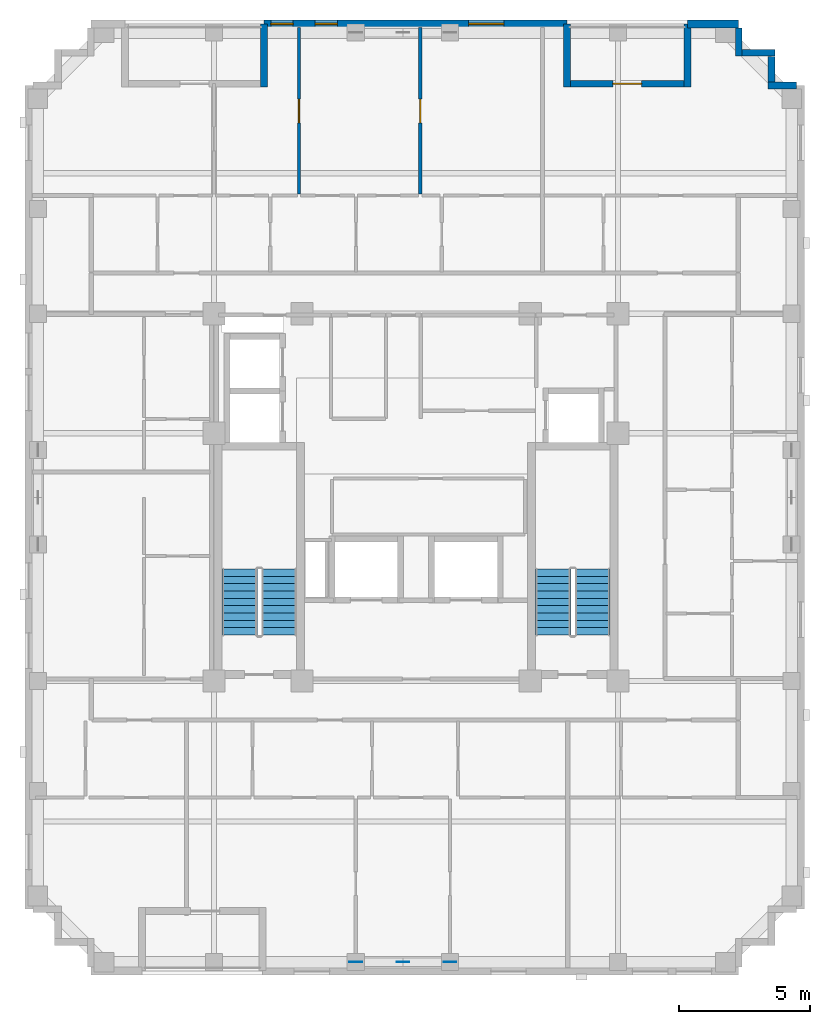
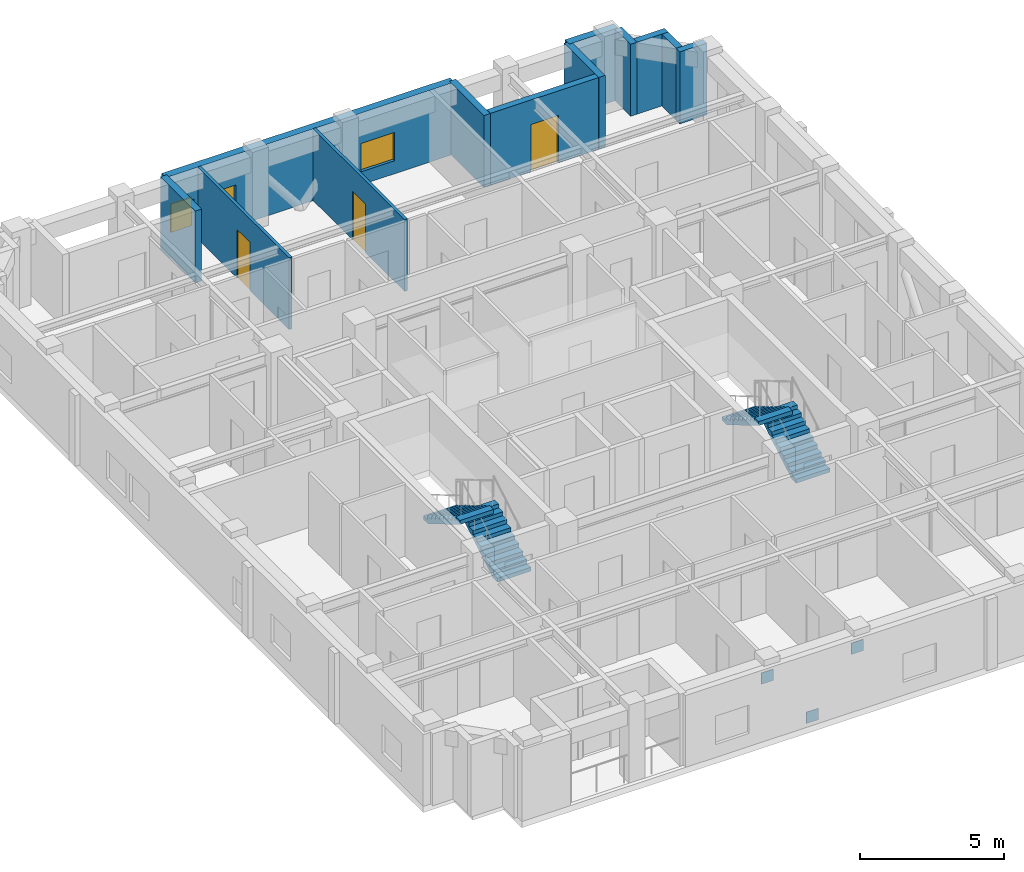
# One storey, part 7 of 10: 12 walls, 4 stair flights, 3 discrete accessories, 3 doors, 3 windows, 6 openings, 2 elements without a shape of their own.
"""IFC4 building model written with IfcOpenShell, lengths in metres."""

from ifc_helpers import new_model, si_unit, derived_unit, direction, frame, frame_2d, origin, origin_2d, place, context, subcontext, project, spatial, polyline, rectangle, outline, extrude, material, layer, layer_set, type_object, element, fill, aggregate, save


model = new_model("IFC4")

# Units and contexts
model_context = context("Model", 3, precision=1e-05, world=origin(), true_north=direction((0.0, 1.0)))
body_context = subcontext(model_context, "Body", "Model", "MODEL_VIEW")
ifc_project = project(units=[si_unit("LENGTHUNIT", "METRE"), si_unit("AREAUNIT", "SQUARE_METRE"), si_unit("VOLUMEUNIT", "CUBIC_METRE"), si_unit("PLANEANGLEUNIT", "RADIAN"), si_unit("MASSUNIT", "GRAM", prefix="KILO"), derived_unit("THERMALTRANSMITTANCEUNIT", [(si_unit("MASSUNIT", "GRAM", prefix="KILO"), 1), (si_unit("TIMEUNIT", "SECOND"), -3), (si_unit("THERMODYNAMICTEMPERATUREUNIT", "KELVIN"), -1)])], contexts=[model_context])

# Site, building, storey
site_placement = place(None, origin())
site = spatial("IfcSite", under=ifc_project, at=site_placement, CompositionType="ELEMENT")
building_placement = place(site_placement, origin())
building = spatial("IfcBuilding", under=site, at=building_placement, Name="Korrvale Station Residences", CompositionType="ELEMENT")
storey_placement = place(building_placement, frame((0.0, 0.0, 204.10009765625)))
storey = spatial("IfcBuildingStorey", under=building, at=storey_placement, Name="L59", CompositionType="ELEMENT", Elevation=204.10009765625)

# Walls
ifc_material_1 = material(Name="Precast concrete C45/55", Category="concrete")
ifc_layer_1 = layer(ifc_material_1, 0.260009765625, Name="Precast concrete C45/55")
ifc_layer_set_1 = layer_set([ifc_layer_1], Name="Precast concrete C45/55")
wall_type_1 = type_object("IfcWallType", Name="WAL-EXT-LOG260", PredefinedType="SOLIDWALL", material=ifc_layer_set_1)
for number, where, z_axis, x_axis, name in (
    (1, (19.699951171875, 37.639892578125, 0.0), (0.0, 0.0, 1.0), (0.0, 1.0, 0.0), "L59 Recessed Loggia Wall BAL-L59-N2-R"),
    (2, (31.25, 40.0400390625, 0.0), (0.0, 0.0, 1.0), (0.0, -1.0, 0.0), "L59 Recessed Loggia Wall BAL-L59-N1-L"),
):
    element("IfcWall", number, at=place(storey_placement, frame(where, z_axis=z_axis, x_axis=x_axis)), inside=storey, type_object=wall_type_1, Name=name, PredefinedType="SOLIDWALL", context=body_context, shape_type="SweptSolid", body=[
        extrude(rectangle(XDim=2.400146484375, YDim=0.260009765625, at=frame_2d((1.2001953125, 0.0))), origin(), (0.0, 0.0, 1.0), 3.039794921875),
    ])

# Wall, opening, door
wall_1_placement = place(storey_placement, frame((31.384033203125, 37.77001953125, 0.0), z_axis=(0.0, 0.0, 1.0), x_axis=(1.0, 0.0, 0.0)))
wall_1 = element("IfcWall", 3, at=wall_1_placement, inside=storey, type_object=wall_type_1, Name="L59 Recessed Loggia Wall BAL-L59-N1-B", PredefinedType="SOLIDWALL", context=body_context, shape_type="SweptSolid", body=[
    extrude(rectangle(XDim=4.33203125, YDim=0.260009765625, at=frame_2d((2.166015625, 0.0))), origin(), (0.0, 0.0, 1.0), 3.039794921875),
])
opening_1_placement = place(wall_1_placement, frame((1.615966796875, 0.0, 0.0)))
opening_1 = element("IfcOpeningElement", 4, at=opening_1_placement, cuts=wall_1, Name="Opening BD-01", PredefinedType="OPENING", context=body_context, shape_type="SweptSolid", body=[
    extrude(rectangle(XDim=1.10009765625, YDim=2.0, at=frame_2d((0.550048828125, 1.0))), frame((0.0, 0.14013671875, 0.0), z_axis=(0.0, -1.0, 0.0), x_axis=(1.0, 0.0, 0.0)), (0.0, 0.0, 1.0), 0.280029296875),
])
ifc_material_2 = material(Name="Exterior thermally broken aluminium glazed balcony door", Category="aluminium")
door_type_1 = type_object("IfcDoorType", Name="DR-EXT-BAL", OperationType="NOTDEFINED", PredefinedType="DOOR", material=ifc_material_2)
door_1_placement = place(opening_1_placement, origin())
door_1 = element("IfcDoor", 5, at=door_1_placement, inside=storey, type_object=door_type_1, Name="L59 Loggia Balcony Door BAL-L59-N1", OperationType="SINGLE_SWING_RIGHT", OverallHeight=2.0, OverallWidth=1.10009765625, PredefinedType="DOOR", context=body_context, shape_type="SweptSolid", body=[
    extrude(rectangle(XDim=1.10009765625, YDim=2.0, at=frame_2d((0.550048828125, 1.0))), frame((0.0, 0.02490234375, 0.0), z_axis=(0.0, -1.0, 0.0), x_axis=(1.0, 0.0, 0.0)), (0.0, 0.0, 1.0), 0.050048828125),
])
fill(opening_1, door_1)

# Walls
wall_2_placement = place(storey_placement, frame((35.85009765625, 37.639892578125, 0.0), z_axis=(0.0, 0.0, 1.0), x_axis=(0.0, 1.0, 0.0)))
element("IfcWall", 6, at=wall_2_placement, inside=storey, type_object=wall_type_1, Name="L59 Recessed Loggia Wall BAL-L59-N1-R", PredefinedType="SOLIDWALL", context=body_context, shape_type="SweptSolid", body=[
    extrude(rectangle(XDim=2.400146484375, YDim=0.260009765625, at=frame_2d((1.2001953125, 0.0))), origin(), (0.0, 0.0, 1.0), 3.039794921875),
])
wall_3_placement = place(storey_placement, frame((37.800048828125, 39.89794921875, 0.0), z_axis=(0.0, 0.0, 1.0), x_axis=(0.0, -1.0, 0.0)))
element("IfcWall", 7, at=wall_3_placement, inside=storey, type_object=wall_type_1, Name="L59 Serrated Corner Precast Step NE-1", PredefinedType="SOLIDWALL", context=body_context, shape_type="SweptSolid", body=[
    extrude(rectangle(XDim=1.077880859375, YDim=0.260009765625, at=frame_2d((0.5390625, 0.0))), origin(), (0.0, 0.0, 1.0), 3.039794921875),
])
wall_4_placement = place(storey_placement, frame((37.931884765625, 38.949951171875, 0.0), z_axis=(0.0, 0.0, 1.0), x_axis=(1.0, 0.0, 0.0)))
element("IfcWall", 8, at=wall_4_placement, inside=storey, type_object=wall_type_1, Name="L59 Serrated Corner Precast Step NE-2", PredefinedType="SOLIDWALL", context=body_context, shape_type="SweptSolid", body=[
    extrude(rectangle(XDim=1.248046875, YDim=0.260009765625, at=frame_2d((0.6240234375, 0.0))), origin(), (0.0, 0.0, 1.0), 3.039794921875),
])
wall_5_placement = place(storey_placement, frame((39.050048828125, 38.818115234375, 0.0), z_axis=(0.0, 0.0, 1.0), x_axis=(0.0, -1.0, 0.0)))
element("IfcWall", 9, at=wall_5_placement, inside=storey, type_object=wall_type_1, Name="L59 Serrated Corner Precast Step NE-3", PredefinedType="SOLIDWALL", context=body_context, shape_type="SweptSolid", body=[
    extrude(rectangle(XDim=0.986083984375, YDim=0.260009765625, at=frame_2d((0.4931640625, 0.0))), origin(), (0.0, 0.0, 1.0), 3.039794921875),
])
wall_6_placement = place(storey_placement, frame((38.919921875, 37.699951171875, 0.0), z_axis=(0.0, 0.0, 1.0), x_axis=(1.0, 0.0, 0.0)))
element("IfcWall", 10, at=wall_6_placement, inside=storey, type_object=wall_type_1, Name="L59 Serrated Corner Precast Step NE-4", PredefinedType="SOLIDWALL", context=body_context, shape_type="SweptSolid", body=[
    extrude(rectangle(XDim=1.078125, YDim=0.260009765625, at=frame_2d((0.5390625, 0.0))), origin(), (0.0, 0.0, 1.0), 3.039794921875),
])

# Wall, openings, windows
ifc_layer_2 = layer(ifc_material_1, 0.300048828125, Name="Precast concrete C45/55")
ifc_layer_set_2 = layer_set([ifc_layer_2], Name="Precast concrete C45/55")
wall_type_2 = type_object("IfcWallType", Name="WAL-EXT-PC300", PredefinedType="SOLIDWALL", material=ifc_layer_set_2)
wall_7_placement = place(storey_placement, frame((19.699951171875, 40.050048828125, 0.0), z_axis=(0.0, 0.0, 1.0), x_axis=(1.0, 0.0, 0.0)))
wall_7 = element("IfcWall", 11, at=wall_7_placement, inside=storey, type_object=wall_type_2, Name="L59 North Exterior Precast Wall 2", PredefinedType="SOLIDWALL", context=body_context, shape_type="SweptSolid", body=[
    extrude(rectangle(XDim=11.550048828125, YDim=0.300048828125, at=frame_2d((5.77490234375, 0.0))), origin(), (0.0, 0.0, 1.0), 3.039794921875),
])
opening_2_placement = place(wall_7_placement, frame((0.26708984375, 0.0, 0.550048828125)))
opening_2 = element("IfcOpeningElement", 12, at=opening_2_placement, cuts=wall_7, Name="Opening W-11", PredefinedType="OPENING", context=body_context, shape_type="SweptSolid", body=[
    extrude(rectangle(XDim=0.85009765625, YDim=1.199951171875, at=frame_2d((0.425048828125, 0.60009765625))), frame((0.0, 0.16015625, 0.0), z_axis=(0.0, -1.0, 0.0), x_axis=(1.0, 0.0, 0.0)), (0.0, 0.0, 1.0), 0.320068359375),
])
opening_3_placement = place(wall_7_placement, frame((1.949951171875, 0.0, 0.550048828125)))
opening_3 = element("IfcOpeningElement", 13, at=opening_3_placement, cuts=wall_7, Name="Opening W-11", PredefinedType="OPENING", context=body_context, shape_type="SweptSolid", body=[
    extrude(rectangle(XDim=0.85009765625, YDim=1.199951171875, at=frame_2d((0.425048828125, 0.60009765625))), frame((0.0, 0.16015625, 0.0), z_axis=(0.0, -1.0, 0.0), x_axis=(1.0, 0.0, 0.0)), (0.0, 0.0, 1.0), 0.320068359375),
])
opening_4_placement = place(wall_7_placement, frame((7.800048828125, 0.0, 0.550048828125)))
opening_4 = element("IfcOpeningElement", 14, at=opening_4_placement, cuts=wall_7, Name="Opening W-10", PredefinedType="OPENING", context=body_context, shape_type="SweptSolid", body=[
    extrude(rectangle(XDim=1.35009765625, YDim=1.199951171875, at=frame_2d((0.675048828125, 0.60009765625))), frame((0.0, 0.16015625, 0.0), z_axis=(0.0, -1.0, 0.0), x_axis=(1.0, 0.0, 0.0)), (0.0, 0.0, 1.0), 0.320068359375),
])
ifc_material_3 = material(Name="Thermally broken aluminium frame with triple low-e glazing", Category="aluminium")
window_type_1 = type_object("IfcWindowType", Name="WIN-W10", PartitioningType="SINGLE_PANEL", PredefinedType="WINDOW", material=ifc_material_3)
window_1_placement = place(opening_4_placement, origin())
window_1 = element("IfcWindow", 15, at=window_1_placement, inside=storey, type_object=window_type_1, Name="L59 Punched Window 09", OverallHeight=1.199951171875, OverallWidth=1.35009765625, PartitioningType="SINGLE_PANEL", PredefinedType="WINDOW", context=body_context, shape_type="SweptSolid", body=[
    extrude(rectangle(XDim=1.35009765625, YDim=1.199951171875, at=frame_2d((0.675048828125, 0.60009765625))), frame((0.0, 0.030029296875, 0.0), z_axis=(0.0, -1.0, 0.0), x_axis=(1.0, 0.0, 0.0)), (0.0, 0.0, 1.0), 0.06005859375),
])
fill(opening_4, window_1)
window_type_2 = type_object("IfcWindowType", Name="WIN-W11", PartitioningType="SINGLE_PANEL", PredefinedType="WINDOW", material=ifc_material_3)
window_2_placement = place(opening_2_placement, origin())
window_2 = element("IfcWindow", 16, at=window_2_placement, inside=storey, type_object=window_type_2, Name="L59 Punched Window 07", OverallHeight=1.199951171875, OverallWidth=0.85009765625, PartitioningType="SINGLE_PANEL", PredefinedType="WINDOW", context=body_context, shape_type="SweptSolid", body=[
    extrude(rectangle(XDim=0.85009765625, YDim=1.199951171875, at=frame_2d((0.425048828125, 0.60009765625))), frame((0.0, 0.030029296875, 0.0), z_axis=(0.0, -1.0, 0.0), x_axis=(1.0, 0.0, 0.0)), (0.0, 0.0, 1.0), 0.06005859375),
])
fill(opening_2, window_2)
window_3_placement = place(opening_3_placement, origin())
window_3 = element("IfcWindow", 17, at=window_3_placement, inside=storey, type_object=window_type_2, Name="L59 Punched Window 08", OverallHeight=1.199951171875, OverallWidth=0.85009765625, PartitioningType="SINGLE_PANEL", PredefinedType="WINDOW", context=body_context, shape_type="SweptSolid", body=[
    extrude(rectangle(XDim=0.85009765625, YDim=1.199951171875, at=frame_2d((0.425048828125, 0.60009765625))), frame((0.0, 0.030029296875, 0.0), z_axis=(0.0, -1.0, 0.0), x_axis=(1.0, 0.0, 0.0)), (0.0, 0.0, 1.0), 0.06005859375),
])
fill(opening_3, window_3)

# Wall
wall_8_placement = place(storey_placement, frame((35.85009765625, 40.050048828125, 0.0), z_axis=(0.0, 0.0, 1.0), x_axis=(1.0, 0.0, 0.0)))
element("IfcWall", 18, at=wall_8_placement, inside=storey, type_object=wall_type_2, Name="L59 North Exterior Precast Wall 3", PredefinedType="SOLIDWALL", context=body_context, shape_type="SweptSolid", body=[
    extrude(rectangle(XDim=1.949951171875, YDim=0.300048828125, at=frame_2d((0.97509765625, 0.0))), origin(), (0.0, 0.0, 1.0), 3.039794921875),
])

# Wall, opening, door
ifc_material_4 = material(Name="Acoustic steel-stud gypsum board partition", Category="steel")
ifc_layer_3 = layer(ifc_material_4, 0.1201171875, Name="Acoustic steel-stud gypsum board partition")
ifc_layer_set_3 = layer_set([ifc_layer_3], Name="Acoustic steel-stud gypsum board partition")
wall_type_3 = type_object("IfcWallType", Name="WAL-PART-125", PredefinedType="PARTITIONING", material=ifc_layer_set_3)
wall_9_placement = place(storey_placement, frame((21.037109375, 33.570068359375, 0.0), z_axis=(0.0, 0.0, 1.0), x_axis=(0.0, 1.0, 0.0)))
wall_9 = element("IfcWall", 19, at=wall_9_placement, inside=storey, type_object=wall_type_3, Name="L59 Suite Partition U04-V67", PredefinedType="PARTITIONING", context=body_context, shape_type="SweptSolid", body=[
    extrude(rectangle(XDim=6.349853515625, YDim=0.1201171875, at=frame_2d((3.1748046875, 0.0))), origin(), (0.0, 0.0, 1.0), 3.039794921875),
])
opening_5_placement = place(wall_9_placement, frame((2.7099609375, 0.0, 0.0)))
opening_5 = element("IfcOpeningElement", 20, at=opening_5_placement, cuts=wall_9, Name="Opening DI-900", PredefinedType="OPENING", context=body_context, shape_type="SweptSolid", body=[
    extrude(rectangle(XDim=0.89990234375, YDim=2.050048828125, at=frame_2d((0.449951171875, 1.02490234375))), frame((0.0, 0.070068359375, 0.0), z_axis=(0.0, -1.0, 0.0), x_axis=(1.0, 0.0, 0.0)), (0.0, 0.0, 1.0), 0.14013671875),
])
ifc_material_5 = material(Name="Painted solid-core timber interior room door", Category="wood")
door_type_2 = type_object("IfcDoorType", Name="DR-INT-900", OperationType="NOTDEFINED", PredefinedType="DOOR", material=ifc_material_5)
door_2_placement = place(opening_5_placement, origin())
door_2 = element("IfcDoor", 21, at=door_2_placement, inside=storey, type_object=door_type_2, Name="L59 Apartment 2BR L59-U04 Formal Dining Room Door", OperationType="SINGLE_SWING_LEFT", OverallHeight=2.050048828125, OverallWidth=0.89990234375, PredefinedType="DOOR", context=body_context, shape_type="SweptSolid", body=[
    extrude(rectangle(XDim=0.89990234375, YDim=2.050048828125, at=frame_2d((0.449951171875, 1.02490234375))), frame((0.0, 0.02490234375, 0.0), z_axis=(0.0, -1.0, 0.0), x_axis=(1.0, 0.0, 0.0)), (0.0, 0.0, 1.0), 0.050048828125),
])
fill(opening_5, door_2)

wall_10_placement = place(storey_placement, frame((25.656982421875, 33.570068359375, 0.0), z_axis=(0.0, 0.0, 1.0), x_axis=(0.0, 1.0, 0.0)))
wall_10 = element("IfcWall", 22, at=wall_10_placement, inside=storey, type_object=wall_type_3, Name="L59 Suite Partition U04-V78", PredefinedType="PARTITIONING", context=body_context, shape_type="SweptSolid", body=[
    extrude(rectangle(XDim=6.349853515625, YDim=0.1201171875, at=frame_2d((3.1748046875, 0.0))), origin(), (0.0, 0.0, 1.0), 3.039794921875),
])
opening_6_placement = place(wall_10_placement, frame((2.7099609375, 0.0, 0.0)))
opening_6 = element("IfcOpeningElement", 23, at=opening_6_placement, cuts=wall_10, Name="Opening DI-900", PredefinedType="OPENING", context=body_context, shape_type="SweptSolid", body=[
    extrude(rectangle(XDim=0.89990234375, YDim=2.050048828125, at=frame_2d((0.449951171875, 1.02490234375))), frame((0.0, 0.070068359375, 0.0), z_axis=(0.0, -1.0, 0.0), x_axis=(1.0, 0.0, 0.0)), (0.0, 0.0, 1.0), 0.14013671875),
])
door_3_placement = place(opening_6_placement, origin())
door_3 = element("IfcDoor", 24, at=door_3_placement, inside=storey, type_object=door_type_2, Name="L59 Apartment 2BR L59-U04 Bedroom 1 Door", OperationType="SINGLE_SWING_RIGHT", OverallHeight=2.050048828125, OverallWidth=0.89990234375, PredefinedType="DOOR", context=body_context, shape_type="SweptSolid", body=[
    extrude(rectangle(XDim=0.89990234375, YDim=2.050048828125, at=frame_2d((0.449951171875, 1.02490234375))), frame((0.0, 0.02490234375, 0.0), z_axis=(0.0, -1.0, 0.0), x_axis=(1.0, 0.0, 0.0)), (0.0, 0.0, 1.0), 0.050048828125),
])
fill(opening_6, door_3)

# Stair, stair flights
ifc_material_6 = material(Name="Concrete C50/60", Category="concrete")
stair_type = type_object("IfcStairType", Name="STR-DL-1350-20R-1650", PredefinedType="HALF_TURN_STAIR", material=ifc_material_6)
stair_1_placement = place(storey_placement, origin())
stair_1 = element("IfcStair", 25, at=stair_1_placement, inside=storey, type_object=stair_type, Name="L59 Exit Stair 1", PredefinedType="HALF_TURN_STAIR")
stair_flight_type = type_object("IfcStairFlightType", Name="FLT-DL-1350-20R-1650", PredefinedType="STRAIGHT", material=ifc_material_6)
stair_flight_1_placement = place(storey_placement, frame((20.27490234375, 16.75, 0.0), z_axis=(0.0, 0.0, 1.0), x_axis=(0.0, 1.0, 0.0)))
stair_flight_1 = element("IfcStairFlight", 26, at=stair_flight_1_placement, type_object=stair_flight_type, Name="ST-1 flight 1", NumberOfRisers=10, NumberOfTreads=9, PredefinedType="STRAIGHT", RiserHeight=0.165, TreadLength=0.28, context=body_context, shape_type="SweptSolid", body=[
    extrude(outline(polyline([(0.0, 0.0), (0.0, 0.1650390625), (0.280029296875, 0.1650390625), (0.280029296875, 0.330078125), (0.56005859375, 0.330078125), (0.56005859375, 0.4951171875), (0.840087890625, 0.4951171875), (0.840087890625, 0.659912109375), (1.1201171875, 0.659912109375), (1.1201171875, 0.824951171875), (1.39990234375, 0.824951171875), (1.39990234375, 0.989990234375), (1.679931640625, 0.989990234375), (1.679931640625, 1.155029296875), (1.9599609375, 1.155029296875), (1.9599609375, 1.320068359375), (2.239990234375, 1.320068359375), (2.239990234375, 1.485107421875), (2.52001953125, 1.485107421875), (2.52001953125, 1.64990234375), (2.52001953125, 1.31103515625), (0.295166015625, 0.0), (0.0, 0.0)])), frame((0.0, 0.675048828125, 0.0), z_axis=(0.0, -1.0, 0.0), x_axis=(1.0, 0.0, 0.0)), (0.0, 0.0, 1.0), 1.35009765625),
])
stair_flight_2_placement = place(storey_placement, frame((18.77490234375, 19.27001953125, 1.64990234375), z_axis=(0.0, 0.0, 1.0), x_axis=(0.0, -1.0, 0.0)))
stair_flight_2 = element("IfcStairFlight", 27, at=stair_flight_2_placement, type_object=stair_flight_type, Name="ST-1 flight 2", NumberOfRisers=10, NumberOfTreads=9, PredefinedType="STRAIGHT", RiserHeight=0.165, TreadLength=0.28, context=body_context, shape_type="SweptSolid", body=[
    extrude(outline(polyline([(0.0, 0.0), (0.0, 0.1650390625), (0.280029296875, 0.1650390625), (0.280029296875, 0.330078125), (0.56005859375, 0.330078125), (0.56005859375, 0.4951171875), (0.840087890625, 0.4951171875), (0.840087890625, 0.659912109375), (1.1201171875, 0.659912109375), (1.1201171875, 0.824951171875), (1.39990234375, 0.824951171875), (1.39990234375, 0.989990234375), (1.679931640625, 0.989990234375), (1.679931640625, 1.155029296875), (1.9599609375, 1.155029296875), (1.9599609375, 1.320068359375), (2.239990234375, 1.320068359375), (2.239990234375, 1.485107421875), (2.52001953125, 1.485107421875), (2.52001953125, 1.64990234375), (2.52001953125, 1.31103515625), (0.295166015625, 0.0), (0.0, 0.0)])), frame((0.0, 0.675048828125, 0.0), z_axis=(0.0, -1.0, 0.0), x_axis=(1.0, 0.0, 0.0)), (0.0, 0.0, 1.0), 1.35009765625),
])
aggregate(stair_1, [stair_flight_1, stair_flight_2])

stair_2_placement = place(storey_placement, origin())
stair_2 = element("IfcStair", 28, at=stair_2_placement, inside=storey, type_object=stair_type, Name="L59 Exit Stair 2", PredefinedType="HALF_TURN_STAIR")
stair_flight_3_placement = place(storey_placement, frame((32.22509765625, 16.75, 0.0), z_axis=(0.0, 0.0, 1.0), x_axis=(0.0, 1.0, 0.0)))
stair_flight_3 = element("IfcStairFlight", 29, at=stair_flight_3_placement, type_object=stair_flight_type, Name="ST-2 flight 1", NumberOfRisers=10, NumberOfTreads=9, PredefinedType="STRAIGHT", RiserHeight=0.165, TreadLength=0.28, context=body_context, shape_type="SweptSolid", body=[
    extrude(outline(polyline([(0.0, 0.0), (0.0, 0.1650390625), (0.280029296875, 0.1650390625), (0.280029296875, 0.330078125), (0.56005859375, 0.330078125), (0.56005859375, 0.4951171875), (0.840087890625, 0.4951171875), (0.840087890625, 0.659912109375), (1.1201171875, 0.659912109375), (1.1201171875, 0.824951171875), (1.39990234375, 0.824951171875), (1.39990234375, 0.989990234375), (1.679931640625, 0.989990234375), (1.679931640625, 1.155029296875), (1.9599609375, 1.155029296875), (1.9599609375, 1.320068359375), (2.239990234375, 1.320068359375), (2.239990234375, 1.485107421875), (2.52001953125, 1.485107421875), (2.52001953125, 1.64990234375), (2.52001953125, 1.31103515625), (0.295166015625, 0.0), (0.0, 0.0)])), frame((0.0, 0.675048828125, 0.0), z_axis=(0.0, -1.0, 0.0), x_axis=(1.0, 0.0, 0.0)), (0.0, 0.0, 1.0), 1.35009765625),
])
stair_flight_4_placement = place(storey_placement, frame((30.72509765625, 19.27001953125, 1.64990234375), z_axis=(0.0, 0.0, 1.0), x_axis=(0.0, -1.0, 0.0)))
stair_flight_4 = element("IfcStairFlight", 30, at=stair_flight_4_placement, type_object=stair_flight_type, Name="ST-2 flight 2", NumberOfRisers=10, NumberOfTreads=9, PredefinedType="STRAIGHT", RiserHeight=0.165, TreadLength=0.28, context=body_context, shape_type="SweptSolid", body=[
    extrude(outline(polyline([(0.0, 0.0), (0.0, 0.1650390625), (0.280029296875, 0.1650390625), (0.280029296875, 0.330078125), (0.56005859375, 0.330078125), (0.56005859375, 0.4951171875), (0.840087890625, 0.4951171875), (0.840087890625, 0.659912109375), (1.1201171875, 0.659912109375), (1.1201171875, 0.824951171875), (1.39990234375, 0.824951171875), (1.39990234375, 0.989990234375), (1.679931640625, 0.989990234375), (1.679931640625, 1.155029296875), (1.9599609375, 1.155029296875), (1.9599609375, 1.320068359375), (2.239990234375, 1.320068359375), (2.239990234375, 1.485107421875), (2.52001953125, 1.485107421875), (2.52001953125, 1.64990234375), (2.52001953125, 1.31103515625), (0.295166015625, 0.0), (0.0, 0.0)])), frame((0.0, 0.675048828125, 0.0), z_axis=(0.0, -1.0, 0.0), x_axis=(1.0, 0.0, 0.0)), (0.0, 0.0, 1.0), 1.35009765625),
])
aggregate(stair_2, [stair_flight_3, stair_flight_4])

# Discrete accessories
ifc_material_7 = material(Name="Steel S355", Category="steel")
ifc_layer_4 = layer(ifc_material_7, 0.02490234375, Name="Steel S355")
ifc_layer_set_4 = layer_set([ifc_layer_4], Name="Steel S355")
discrete_accessory_type = type_object("IfcDiscreteAccessoryType", Name="ACC-GUSSET-25", PredefinedType="BRACKET", material=ifc_layer_set_4)
for number, where, z_axis, x_axis, name in (
    (31, (25.0, 4.280029296875, -0.219970703125), (0.0, 0.0, 1.0), (1.0, 0.0, 0.0), "L59 S Brace End Gusset Connection M"),
    (32, (23.199951171875, 4.280029296875, 2.06982421875), (0.0, 0.0, 1.0), (1.0, 0.0, 0.0), "L59 S Brace End Gusset Connection A"),
    (33, (26.800048828125, 4.280029296875, 2.06982421875), (0.0, 0.0, 1.0), (1.0, 0.0, 0.0), "L59 S Brace End Gusset Connection B"),
):
    element("IfcDiscreteAccessory", number, at=place(storey_placement, frame(where, z_axis=z_axis, x_axis=x_axis)), inside=storey, type_object=discrete_accessory_type, Name=name, PredefinedType="BRACKET", context=body_context, shape_type="SweptSolid", body=[
        extrude(rectangle(XDim=0.47998046875, YDim=0.02490234375, at=origin_2d()), origin(), (0.0, 0.0, 1.0), 0.47998046875),
    ])

save(model, "model.ifc")
